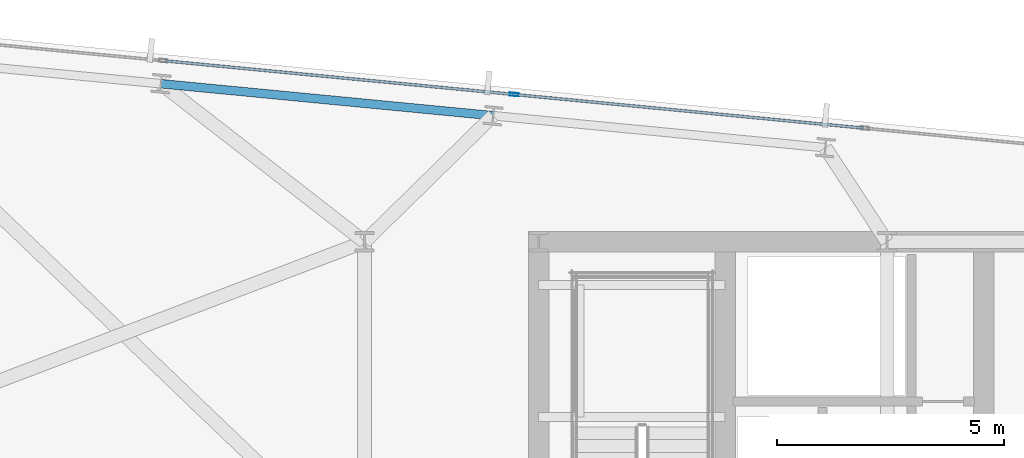
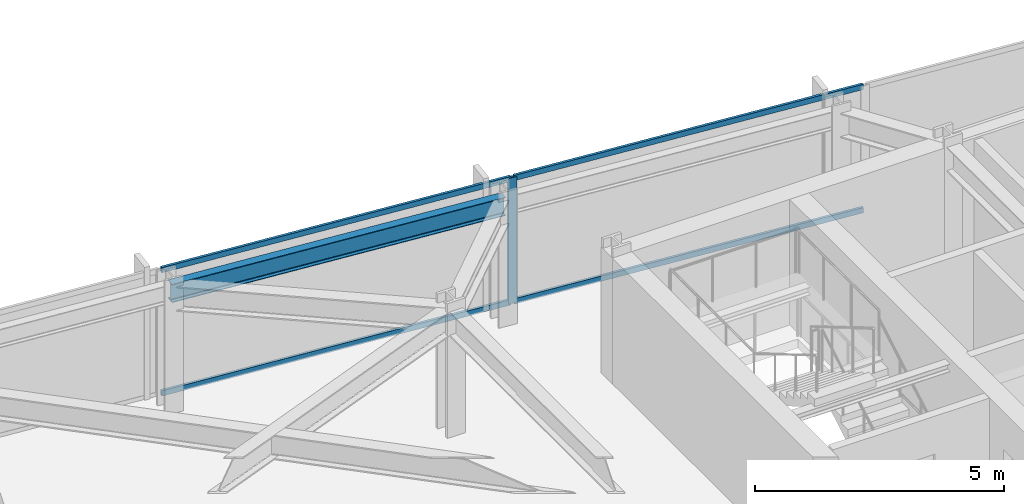
# One storey, part 25 of 38: 5 members, 1 beam, 1 element without a shape of its own.
"""IFC4 building model written with IfcOpenShell, lengths in metres."""

import ifcopenshell
import ifcopenshell.guid

model = None  # the IFC model being written
_history = None  # IfcOwnerHistory: only IFC2X3 demands one
_inside = {}  # id of a spatial element -> (the spatial element, [elements in it])
_under = {}  # id of a project, library or spatial element -> (it, [spatial elements below it])
_declared = {}  # id of a project -> (the project, [libraries it declares])
_typed = {}  # id of a type object -> (the type object, [elements of that type])
_made_of = {}  # id of a material, layer set ... -> (it, [elements and type objects made of it])


def new_model(schema):
    """Start an empty IFC model of exactly this schema.

    Asked for "IFC4X3", IfcOpenShell would pick the latest addendum, in which some entities
    have other attributes; the version numbers below select the first issue.
    IFC2X3 requires an IfcOwnerHistory on every rooted entity: one is made here for all.
    """
    global model, _history
    if schema == "IFC4X3":
        model = ifcopenshell.file(schema_version=(4, 3, 0, 0))
    else:
        model = ifcopenshell.file(schema=schema)
    _inside.clear()
    _under.clear()
    _declared.clear()
    _typed.clear()
    _made_of.clear()
    _history = None
    if model.schema == "IFC2X3":
        org = make("IfcOrganization", Name="unknown")
        user = make(
            "IfcPersonAndOrganization",
            ThePerson=make("IfcPerson", FamilyName="unknown"),
            TheOrganization=org,
        )
        app = make(
            "IfcApplication",
            ApplicationDeveloper=org,
            Version="unknown",
            ApplicationFullName="unknown",
            ApplicationIdentifier="unknown",
        )
        _history = make(
            "IfcOwnerHistory",
            OwningUser=user,
            OwningApplication=app,
            ChangeAction="ADDED",
            CreationDate=0,
        )
    return model


def make(cls, **values):
    """One entity of the class cls with the attributes given. An attribute that is None is left unset."""
    return model.create_entity(
        cls, **{name: value for name, value in values.items() if value is not None}
    )


def rooted(cls, **values):
    """An entity with a GlobalId (a new one), such as an element, a storey or a relation."""
    return make(cls, GlobalId=ifcopenshell.guid.new(), OwnerHistory=_history, **values)


def si_unit(unit_type, name, prefix=None):
    """IfcSIUnit, for example si_unit("LENGTHUNIT", "METRE", prefix="MILLI")."""
    return make("IfcSIUnit", UnitType=unit_type, Prefix=prefix, Name=name)


def assignment(units):
    """IfcUnitAssignment: the units of a project."""
    return None if units is None else make("IfcUnitAssignment", Units=units)


def point(xyz):
    """IfcCartesianPoint."""
    return None if xyz is None else make("IfcCartesianPoint", Coordinates=xyz)


def direction(xyz):
    """IfcDirection."""
    return None if xyz is None else make("IfcDirection", DirectionRatios=xyz)


def frame(location, z_axis=None, x_axis=None):
    """IfcAxis2Placement3D, a coordinate frame: its origin and axes. An axis left out is left unset."""
    return make(
        "IfcAxis2Placement3D",
        Location=point(location),
        Axis=direction(z_axis),
        RefDirection=direction(x_axis),
    )


def frame_2d(location, x_axis=None):
    """IfcAxis2Placement2D, a coordinate frame in the plane: its origin and x axis."""
    return make(
        "IfcAxis2Placement2D", Location=point(location), RefDirection=direction(x_axis)
    )


def origin():
    """The frame at (0, 0, 0) with its axes left unset."""
    return frame((0.0, 0.0, 0.0))


def origin_2d():
    """The frame at (0, 0) in the plane with its x axis left unset."""
    return frame_2d((0.0, 0.0))


def place(relative_to, where):
    """IfcLocalPlacement: puts the frame where relative to a parent placement (None: the world)."""
    return make(
        "IfcLocalPlacement", PlacementRelTo=relative_to, RelativePlacement=where
    )


def context(
    kind, dimensions, precision=None, world=None, true_north=None, identifier=None
):
    """IfcGeometricRepresentationContext, for example the 3D "Model" context."""
    return make(
        "IfcGeometricRepresentationContext",
        ContextIdentifier=identifier,
        ContextType=kind,
        CoordinateSpaceDimension=dimensions,
        Precision=precision,
        WorldCoordinateSystem=world,
        TrueNorth=true_north,
    )


def subcontext(parent, identifier, kind, view, scale=None):
    """IfcGeometricRepresentationSubContext, for example "Body" below "Model"."""
    return make(
        "IfcGeometricRepresentationSubContext",
        ContextIdentifier=identifier,
        ContextType=kind,
        ParentContext=parent,
        TargetScale=scale,
        TargetView=view,
    )


def project(units=None, contexts=None):
    """IfcProject with its units and contexts."""
    return rooted(
        "IfcProject",
        Name="project",
        RepresentationContexts=contexts,
        UnitsInContext=assignment(units),
    )


def spatial(cls, under=None, at=None, **own):
    """A site, building, storey or space (cls), placed at a placement, below another one or the project."""
    s = rooted(cls, ObjectPlacement=at, **own)
    if under is not None:
        _under.setdefault(under.id(), (under, []))[1].append(s)
    return s


def profile(cls, at=None, kind="AREA", **sizes):
    """A parametric profile (cls). Its sizes go by their IFC names, for example OverallWidth=200.0."""
    return make(cls, ProfileType=kind, Position=at, **sizes)


def hollow_rectangle(**sizes):
    """IfcRectangleHollowProfileDef."""
    return profile("IfcRectangleHollowProfileDef", **sizes)


def i_section(**sizes):
    """IfcIShapeProfileDef."""
    return profile("IfcIShapeProfileDef", **sizes)


def extrude(swept, where, along, depth):
    """IfcExtrudedAreaSolid: the profile swept, set in the frame where, extruded along a direction by depth."""
    return make(
        "IfcExtrudedAreaSolid",
        SweptArea=swept,
        Position=where,
        ExtrudedDirection=direction(along),
        Depth=depth,
    )


def shape(context_of_items, identifier, shape_type, items):
    """IfcShapeRepresentation: the items that make up one representation, for example the "Body"."""
    return make(
        "IfcShapeRepresentation",
        ContextOfItems=context_of_items,
        RepresentationIdentifier=identifier,
        RepresentationType=shape_type,
        Items=items,
    )


def material(Name=None, Category=None):
    """IfcMaterial."""
    return make("IfcMaterial", Name=Name, Category=Category)


def material_profile(
    of_material, cross_section, Name=None, Category=None, Priority=None
):
    """IfcMaterialProfile: a cross section and its material."""
    return make(
        "IfcMaterialProfile",
        Name=Name,
        Material=of_material,
        Profile=cross_section,
        Priority=Priority,
        Category=Category,
    )


def profile_set(profiles, Name=None, composite=None):
    """IfcMaterialProfileSet."""
    return make(
        "IfcMaterialProfileSet",
        Name=Name,
        MaterialProfiles=profiles,
        CompositeProfile=composite,
    )


def made_of(thing, what):
    """Note that an element or type object is made of a material, layer set ...; save() writes the relation."""
    if what is not None:
        _made_of.setdefault(what.id(), (what, []))[1].append(thing)
    return thing


def type_object(cls, material=None, **own):
    """A type object (cls), such as IfcWallType, which elements share."""
    return made_of(rooted(cls, **own), material)


def element(
    cls,
    number,
    at=None,
    inside=None,
    cuts=None,
    type_object=None,
    material=None,
    context=None,
    identifier="Body",
    shape_type=None,
    held_by="IfcProductDefinitionShape",
    body=None,
    shapes=None,
    **own,
):
    """One element of the class cls, such as IfcWall. Its Tag is "e" and its number.

    at: its placement. inside: the storey or other place that contains it. cuts: it is an
    opening in that element (IfcRelVoidsElement). A single representation is given by context,
    identifier, shape_type and body (its items); several are given by shapes. held_by: the class
    of the entity that holds the representations. save() writes the other relations.
    """
    e = rooted(cls, Tag="e%d" % number, ObjectPlacement=at, **own)
    if body is not None:
        shapes = [shape(context, identifier, shape_type, body)]
    if shapes is not None:
        e.Representation = make(held_by, Representations=shapes)
    if inside is not None:
        _inside.setdefault(inside.id(), (inside, []))[1].append(e)
    if cuts is not None:
        rooted(
            "IfcRelVoidsElement", RelatingBuildingElement=cuts, RelatedOpeningElement=e
        )
    if type_object is not None:
        _typed.setdefault(type_object.id(), (type_object, []))[1].append(e)
    return made_of(e, material)


def aggregate(whole, parts):
    """IfcRelAggregates: a whole, such as a stair, and the parts it consists of."""
    return rooted("IfcRelAggregates", RelatingObject=whole, RelatedObjects=parts)


def save(model, path):
    """Write the relations noted so far, then the file.

    IfcRelAggregates (storeys below a building ...), IfcRelContainedInSpatialStructure (elements
    in a storey), IfcRelDefinesByType, IfcRelAssociatesMaterial and IfcRelDeclares: one each for
    every whole, place, type object, material and project.
    """
    for whole, parts in _under.values():
        aggregate(whole, parts)
    for where, things in _inside.values():
        rooted(
            "IfcRelContainedInSpatialStructure",
            RelatedElements=things,
            RelatingStructure=where,
        )
    for kind, things in _typed.values():
        rooted("IfcRelDefinesByType", RelatedObjects=things, RelatingType=kind)
    for what, things in _made_of.values():
        rooted("IfcRelAssociatesMaterial", RelatedObjects=things, RelatingMaterial=what)
    for by, libraries in _declared.values():
        rooted("IfcRelDeclares", RelatingContext=by, RelatedDefinitions=libraries)
    model.write(path)


model = new_model("IFC4")

# Units and contexts
model_context = context("Model", 3, precision=1e-05, world=origin(), true_north=direction((0.0, 1.0)))
body_context = subcontext(model_context, "Body", "Model", "MODEL_VIEW")
ifc_project = project(units=[si_unit("LENGTHUNIT", "METRE"), si_unit("AREAUNIT", "SQUARE_METRE"), si_unit("VOLUMEUNIT", "CUBIC_METRE"), si_unit("PLANEANGLEUNIT", "RADIAN"), si_unit("MASSUNIT", "GRAM", prefix="KILO")], contexts=[model_context])

# Site, building, storey
site_placement = place(None, origin())
site = spatial("IfcSite", under=ifc_project, at=site_placement, CompositionType="ELEMENT")
building_placement = place(site_placement, origin())
building = spatial("IfcBuilding", under=site, at=building_placement, Name="Yelkora Congress Tower", CompositionType="ELEMENT")
storey_placement = place(building_placement, frame((0.0, 0.0, 185.300048828125)))
storey = spatial("IfcBuildingStorey", under=building, at=storey_placement, Name="L51", CompositionType="ELEMENT", Elevation=185.300048828125)

# Beam
ifc_material_1 = material(Name="Steel S355J2", Category="steel")
ifc_material_profile_1 = material_profile(ifc_material_1, i_section(OverallWidth=0.18994140625, OverallDepth=0.449951171875, WebThickness=0.009521484375, FlangeThickness=0.0146484375, FilletRadius=0.02099609375, at=origin_2d()), Name="IPE 450")
ifc_profile_set_1 = profile_set([ifc_material_profile_1], Name="Steel S355J2")
beam_type = type_object("IfcBeamType", Name="BM-SPAN-IPE450", PredefinedType="SPANDREL", material=ifc_profile_set_1)
beam_placement = place(storey_placement, frame((22.035400390625, 48.980224609375, 2.85498046875), z_axis=(-0.995393938538, 0.095869218844, 0.0), x_axis=(-0.095869218844, -0.995393938538, 0.0)))
element("IfcBeam", 1, at=beam_placement, inside=storey, type_object=beam_type, Name="L51 Perimeter Beam 14", PredefinedType="SPANDREL", context=body_context, shape_type="SweptSolid", body=[
    extrude(i_section(OverallWidth=0.18994140625, OverallDepth=0.449951171875, WebThickness=0.009521484375, FlangeThickness=0.0146484375, FilletRadius=0.02099609375, at=origin_2d()), origin(), (0.0, 0.0, 1.0), 7.357177734375),
])

# Curtain wall, members
ifc_material_2 = material(Name="Anodised aluminium and insulated glass", Category="aluminium")
curtain_wall_type = type_object("IfcCurtainWallType", Name="CW-SYS-B3", PredefinedType="NOTDEFINED", material=ifc_material_2)
curtain_wall_placement = place(storey_placement, origin())
curtain_wall = element("IfcCurtainWall", 2, at=curtain_wall_placement, inside=storey, type_object=curtain_wall_type, Name="L51 Unitised Curtain Wall 10 (1)", PredefinedType="NOTDEFINED")
ifc_material_3 = material(Name="Anodised aluminium 6063-T6", Category="aluminium")
ifc_material_profile_2 = material_profile(ifc_material_3, hollow_rectangle(XDim=0.070068359375, YDim=0.18994140625, WallThickness=0.00390625, at=origin_2d()), Name="ALU 70x190x4")
ifc_profile_set_2 = profile_set([ifc_material_profile_2], Name="Anodised aluminium 6063-T6")
member_type_1 = type_object("IfcMemberType", Name="MEM-ML-B3", PredefinedType="MULLION", material=ifc_profile_set_2)
member_1_placement = place(storey_placement, frame((22.496826171875, 49.4482421875, 0.0), z_axis=(0.0, 0.0, 1.0), x_axis=(0.095844761168, 0.995396293823, 0.0)))
member_1 = element("IfcMember", 3, at=member_1_placement, type_object=member_type_1, Name="CW-B3 mullion 3", PredefinedType="MULLION", context=body_context, shape_type="SweptSolid", body=[
    extrude(hollow_rectangle(XDim=0.070068359375, YDim=0.18994140625, WallThickness=0.00390625, at=origin_2d()), origin(), (0.0, 0.0, 1.0), 3.079833984375),
])
ifc_material_profile_3 = material_profile(ifc_material_3, hollow_rectangle(XDim=0.06005859375, YDim=0.1298828125, WallThickness=0.00390625, at=origin_2d()), Name="ALU 60x130x4")
ifc_profile_set_3 = profile_set([ifc_material_profile_3], Name="Anodised aluminium 6063-T6")
member_type_2 = type_object("IfcMemberType", Name="MEM-TR-B3", PredefinedType="USERDEFINED", material=ifc_profile_set_3)
member_2_placement = place(storey_placement, frame((14.798095703125, 50.189697265625, 0.030029296875), z_axis=(0.995395016973, -0.095858020971, 0.0), x_axis=(0.095858020971, 0.995395016973, 0.0)))
member_2 = element("IfcMember", 4, at=member_2_placement, type_object=member_type_2, Name="CW-B3 transom 2.1", ObjectType="TRANSOM", PredefinedType="USERDEFINED", context=body_context, shape_type="SweptSolid", body=[
    extrude(hollow_rectangle(XDim=0.06005859375, YDim=0.1298828125, WallThickness=0.00390625, at=origin_2d()), origin(), (0.0, 0.0, 1.0), 7.69921875),
])
member_3_placement = place(storey_placement, frame((14.798095703125, 50.189697265625, 3.050048828125), z_axis=(0.995395016973, -0.095858020971, 0.0), x_axis=(0.095858020971, 0.995395016973, 0.0)))
member_3 = element("IfcMember", 5, at=member_3_placement, type_object=member_type_2, Name="CW-B3 transom 2.2", ObjectType="TRANSOM", PredefinedType="USERDEFINED", context=body_context, shape_type="SweptSolid", body=[
    extrude(hollow_rectangle(XDim=0.06005859375, YDim=0.1298828125, WallThickness=0.00390625, at=origin_2d()), origin(), (0.0, 0.0, 1.0), 7.69921875),
])
member_4_placement = place(storey_placement, frame((22.531494140625, 49.44482421875, 0.030029296875), z_axis=(0.995398333273, -0.095823578082, 0.0), x_axis=(0.095823578082, 0.995398333273, 0.0)))
member_4 = element("IfcMember", 6, at=member_4_placement, type_object=member_type_2, Name="CW-B3 transom 3.1", ObjectType="TRANSOM", PredefinedType="USERDEFINED", context=body_context, shape_type="SweptSolid", body=[
    extrude(hollow_rectangle(XDim=0.06005859375, YDim=0.1298828125, WallThickness=0.00390625, at=origin_2d()), origin(), (0.0, 0.0, 1.0), 7.699462890625),
])
member_5_placement = place(storey_placement, frame((22.531494140625, 49.44482421875, 3.050048828125), z_axis=(0.995398333273, -0.095823578082, 0.0), x_axis=(0.095823578082, 0.995398333273, 0.0)))
member_5 = element("IfcMember", 7, at=member_5_placement, type_object=member_type_2, Name="CW-B3 transom 3.2", ObjectType="TRANSOM", PredefinedType="USERDEFINED", context=body_context, shape_type="SweptSolid", body=[
    extrude(hollow_rectangle(XDim=0.06005859375, YDim=0.1298828125, WallThickness=0.00390625, at=origin_2d()), origin(), (0.0, 0.0, 1.0), 7.699462890625),
])
aggregate(curtain_wall, [member_1, member_2, member_3, member_4, member_5])

save(model, "model.ifc")
